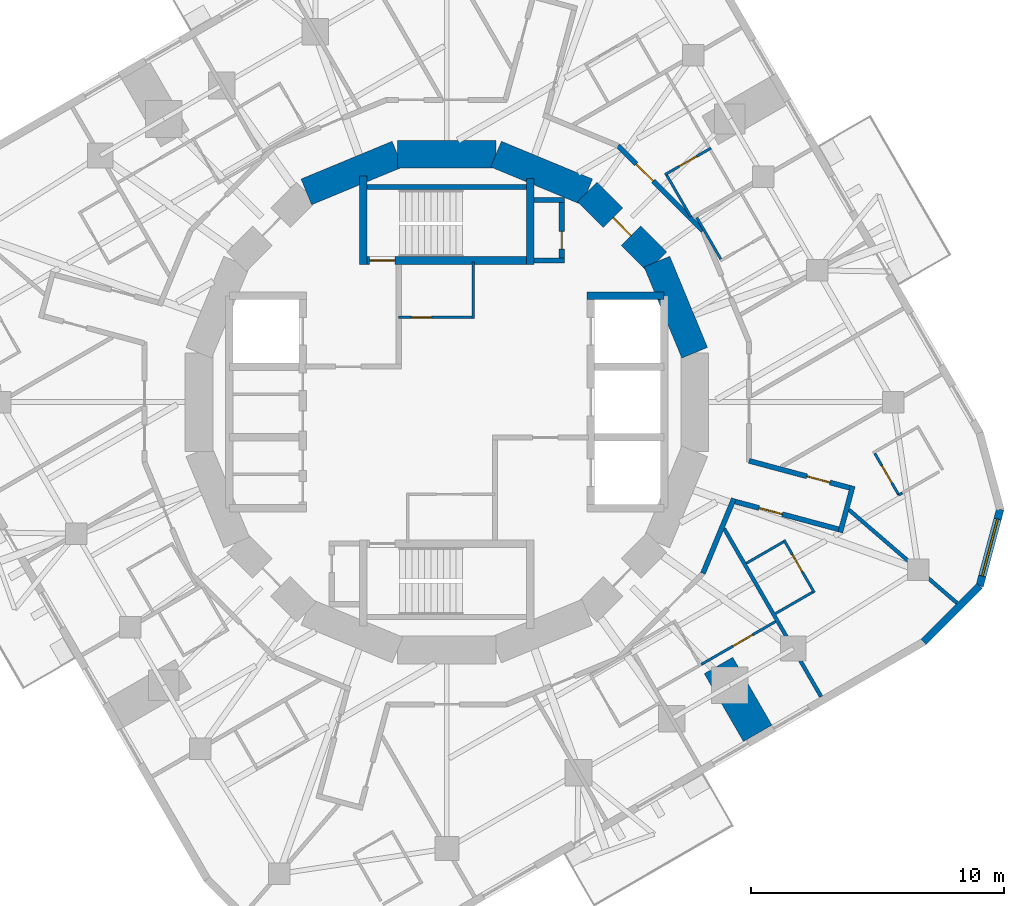
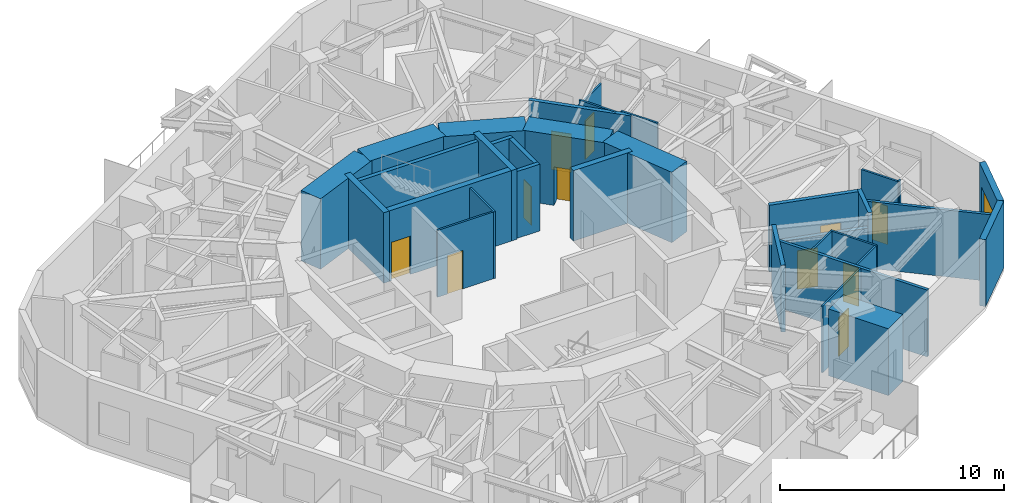
# One storey, part 7 of 11: 34 walls, 11 doors, 1 window, 12 openings.
"""IFC4 building model written with IfcOpenShell, lengths in metres."""

from ifc_helpers import new_model, si_unit, direction, frame, frame_2d, origin, place, context, subcontext, project, spatial, rectangle, extrude, material, layer, layer_set, type_object, element, fill, save


model = new_model("IFC4")

# Units and contexts
model_context = context("Model", 3, precision=1e-05, world=origin(), true_north=direction((0.0, 1.0)))
body_context = subcontext(model_context, "Body", "Model", "MODEL_VIEW")
ifc_project = project(units=[si_unit("LENGTHUNIT", "METRE"), si_unit("AREAUNIT", "SQUARE_METRE"), si_unit("VOLUMEUNIT", "CUBIC_METRE"), si_unit("PLANEANGLEUNIT", "RADIAN"), si_unit("MASSUNIT", "GRAM", prefix="KILO")], contexts=[model_context])

# Site, building, storey
site_placement = place(None, origin())
site = spatial("IfcSite", under=ifc_project, at=site_placement, CompositionType="ELEMENT")
building_placement = place(site_placement, origin())
building = spatial("IfcBuilding", under=site, at=building_placement, Name="Nakasero Lantern House", CompositionType="ELEMENT")
storey_placement = place(building_placement, frame((0.0, 0.0, 234.64990234375)))
storey = spatial("IfcBuildingStorey", under=building, at=storey_placement, Name="L57", CompositionType="ELEMENT", Elevation=234.64990234375)

# Walls
ifc_material_1 = material(Name="Blockwork", Category="masonry")
ifc_layer_1 = layer(ifc_material_1, 1.300048828125)
ifc_layer_set_1 = layer_set([ifc_layer_1], Name="Column pier 1300")
wall_type_1 = type_object("IfcWallType", Name="Column pier 1300", PredefinedType="PARTITIONING", material=ifc_layer_set_1)
wall_1_placement = place(storey_placement, frame((10.75048828125, -10.4208984375, 0.0), z_axis=(0.0, 0.0, 1.0), x_axis=(0.499933790963, -0.866063626216, 0.0)))
element("IfcWall", 1, at=wall_1_placement, inside=storey, type_object=wall_type_1, Name="Column pier L57 PN3-05", PredefinedType="PARTITIONING", context=body_context, shape_type="SweptSolid", body=[
    extrude(rectangle(XDim=3.10009765625, YDim=1.300048828125, at=frame_2d((1.550048828125, 0.0))), origin(), (0.0, 0.0, 1.0), 3.650146484375),
])
ifc_material_2 = material(Name="Concrete C50/60", Category="concrete")
ifc_layer_2 = layer(ifc_material_2, 0.300048828125)
ifc_layer_set_2 = layer_set([ifc_layer_2], Name="Core inner wall 300")
wall_type_2 = type_object("IfcWallType", Name="Core inner wall 300", PredefinedType="SHEAR", material=ifc_layer_set_2)
wall_2_placement = place(storey_placement, frame((5.550048828125, 4.199951171875, 0.0), z_axis=(0.0, 0.0, 1.0), x_axis=(1.0, 0.0, 0.0)))
element("IfcWall", 2, at=wall_2_placement, inside=storey, type_object=wall_type_2, Name="Core inner wall L57 LEN", PredefinedType="SHEAR", context=body_context, shape_type="SweptSolid", body=[
    extrude(rectangle(XDim=3.050048828125, YDim=0.300048828125, at=frame_2d((1.52490234375, 0.0))), origin(), (0.0, 0.0, 1.0), 3.85009765625),
])

# Wall, opening, door
wall_3_placement = place(storey_placement, frame((-3.449951171875, 5.60009765625, 0.0), z_axis=(0.0, 0.0, 1.0), x_axis=(1.0, 0.0, 0.0)))
wall_3 = element("IfcWall", 3, at=wall_3_placement, inside=storey, type_object=wall_type_2, Name="Core inner wall L57 SN", PredefinedType="SHEAR", context=body_context, shape_type="SweptSolid", body=[
    extrude(rectangle(XDim=6.89990234375, YDim=0.300048828125, at=frame_2d((3.449951171875, 0.0))), origin(), (0.0, 0.0, 1.0), 3.85009765625),
])
opening_1_placement = place(wall_3_placement, frame((0.39990234375, 0.0, 0.0)))
opening_1 = element("IfcOpeningElement", 4, at=opening_1_placement, cuts=wall_3, Name="Opening D05", PredefinedType="OPENING", context=body_context, shape_type="SweptSolid", body=[
    extrude(rectangle(XDim=1.0, YDim=2.10009765625, at=frame_2d((0.5, 1.050048828125))), frame((0.0, 0.169921875, 0.0), z_axis=(0.0, -1.0, 0.0), x_axis=(1.0, 0.0, 0.0)), (0.0, 0.0, 1.0), 0.340087890625),
])
ifc_material_3 = material(Name="Timber C24", Category="wood")
door_type_1 = type_object("IfcDoorType", Name="Core door FD60S 1000", OperationType="SINGLE_SWING_LEFT", PredefinedType="DOOR", material=ifc_material_3)
door_1_placement = place(opening_1_placement, origin())
door_1 = element("IfcDoor", 5, at=door_1_placement, inside=storey, type_object=door_type_1, Name="Door L57 D-ST1", OperationType="SINGLE_SWING_LEFT", OverallHeight=2.10009765625, OverallWidth=1.0, PredefinedType="DOOR", context=body_context, shape_type="SweptSolid", body=[
    extrude(rectangle(XDim=1.0, YDim=2.10009765625, at=frame_2d((0.5, 1.050048828125))), frame((0.0, 0.02490234375, 0.0), z_axis=(0.0, -1.0, 0.0), x_axis=(1.0, 0.0, 0.0)), (0.0, 0.0, 1.0), 0.050048828125),
])
fill(opening_1, door_1)

# Walls
wall_4_placement = place(storey_placement, frame((-3.300048828125, 5.449951171875, 0.0), z_axis=(0.0, 0.0, 1.0), x_axis=(0.0, 1.0, 0.0)))
element("IfcWall", 6, at=wall_4_placement, inside=storey, type_object=wall_type_2, Name="Core inner wall L57 SNW", PredefinedType="SHEAR", context=body_context, shape_type="SweptSolid", body=[
    extrude(rectangle(XDim=3.5, YDim=0.300048828125, at=frame_2d((1.75, 0.0))), origin(), (0.0, 0.0, 1.0), 3.85009765625),
])
wall_5_placement = place(storey_placement, frame((3.300048828125, 5.449951171875, 0.0), z_axis=(0.0, 0.0, 1.0), x_axis=(0.0, 1.0, 0.0)))
element("IfcWall", 7, at=wall_5_placement, inside=storey, type_object=wall_type_2, Name="Core inner wall L57 SNE", PredefinedType="SHEAR", context=body_context, shape_type="SweptSolid", body=[
    extrude(rectangle(XDim=3.400146484375, YDim=0.300048828125, at=frame_2d((1.7001953125, 0.0))), origin(), (0.0, 0.0, 1.0), 3.85009765625),
])

# Wall, opening, door
ifc_material_4 = material(Name="Blockwork", Category="masonry")
ifc_layer_3 = layer(ifc_material_4, 0.10009765625)
ifc_layer_set_3 = layer_set([ifc_layer_3], Name="Core room wall 100")
wall_type_3 = type_object("IfcWallType", Name="Core room wall 100", PredefinedType="PARTITIONING", material=ifc_layer_set_3)
wall_6_placement = place(storey_placement, frame((-1.89990234375, 3.35009765625, 0.0), z_axis=(0.0, 0.0, 1.0), x_axis=(1.0, 0.0, 0.0)))
wall_6 = element("IfcWall", 8, at=wall_6_placement, inside=storey, type_object=wall_type_3, Name="Core room wall L57 CR-NES", PredefinedType="PARTITIONING", context=body_context, shape_type="SweptSolid", body=[
    extrude(rectangle(XDim=3.0, YDim=0.10009765625, at=frame_2d((1.5, 0.0))), origin(), (0.0, 0.0, 1.0), 3.650146484375),
])
opening_2_placement = place(wall_6_placement, frame((0.5, 0.0, 0.0)))
opening_2 = element("IfcOpeningElement", 9, at=opening_2_placement, cuts=wall_6, Name="Opening D15", PredefinedType="OPENING", context=body_context, shape_type="SweptSolid", body=[
    extrude(rectangle(XDim=0.800048828125, YDim=2.10009765625, at=frame_2d((0.39990234375, 1.050048828125))), frame((0.0, 0.070068359375, 0.0), z_axis=(0.0, -1.0, 0.0), x_axis=(1.0, 0.0, 0.0)), (0.0, 0.0, 1.0), 0.14013671875),
])
ifc_material_5 = material(Name="Timber C24", Category="wood")
door_type_2 = type_object("IfcDoorType", Name="Cleaner's store door FD30S 800", OperationType="SINGLE_SWING_LEFT", PredefinedType="DOOR", material=ifc_material_5)
door_2_placement = place(opening_2_placement, origin())
door_2 = element("IfcDoor", 10, at=door_2_placement, inside=storey, type_object=door_type_2, Name="Door L57 D-CR-NE", OperationType="SINGLE_SWING_LEFT", OverallHeight=2.10009765625, OverallWidth=0.800048828125, PredefinedType="DOOR", context=body_context, shape_type="SweptSolid", body=[
    extrude(rectangle(XDim=0.800048828125, YDim=2.10009765625, at=frame_2d((0.39990234375, 1.050048828125))), frame((0.0, 0.02490234375, 0.0), z_axis=(0.0, -1.0, 0.0), x_axis=(1.0, 0.0, 0.0)), (0.0, 0.0, 1.0), 0.050048828125),
])
fill(opening_2, door_2)

# Walls
wall_7_placement = place(storey_placement, frame((1.050048828125, 3.300048828125, 0.0), z_axis=(0.0, 0.0, 1.0), x_axis=(0.0, 1.0, 0.0)))
element("IfcWall", 11, at=wall_7_placement, inside=storey, type_object=wall_type_3, Name="Core room wall L57 CR-NEE", PredefinedType="PARTITIONING", context=body_context, shape_type="SweptSolid", body=[
    extrude(rectangle(XDim=2.25, YDim=0.10009765625, at=frame_2d((1.125, 0.0))), origin(), (0.0, 0.0, 1.0), 3.650146484375),
])
ifc_material_6 = material(Name="Concrete C50/60", Category="concrete")
ifc_layer_4 = layer(ifc_material_6, 1.10009765625)
ifc_layer_set_4 = layer_set([ifc_layer_4], Name="Core wall 1100")
wall_type_4 = type_object("IfcWallType", Name="Core wall 1100", PredefinedType="SHEAR", material=ifc_layer_set_4)
wall_8_placement = place(storey_placement, frame((9.807861328125, 1.950927734375, 0.0), z_axis=(0.0, 0.0, 1.0), x_axis=(-0.382690736062, 0.923876507187, 0.0)))
element("IfcWall", 12, at=wall_8_placement, inside=storey, type_object=wall_type_4, Name="Core wall L57 facet 1", PredefinedType="SHEAR", context=body_context, shape_type="SweptSolid", body=[
    extrude(rectangle(XDim=3.90185546875, YDim=1.10009765625, at=frame_2d((1.950927734375, 0.0))), origin(), (0.0, 0.0, 1.0), 3.85009765625),
])

# Wall, opening, door
wall_9_placement = place(storey_placement, frame((8.314697265625, 5.5556640625, 0.0), z_axis=(0.0, 0.0, 1.0), x_axis=(-0.707106781187, 0.707106781187, 0.0)))
wall_9 = element("IfcWall", 13, at=wall_9_placement, inside=storey, type_object=wall_type_4, Name="Core wall L57 facet 2", PredefinedType="SHEAR", context=body_context, shape_type="SweptSolid", body=[
    extrude(rectangle(XDim=3.90185546875, YDim=1.10009765625, at=frame_2d((1.950927734375, 0.0))), origin(), (0.0, 0.0, 1.0), 3.85009765625),
])
opening_3_placement = place(wall_9_placement, frame((1.450927734375, 0.0, 0.0)))
opening_3 = element("IfcOpeningElement", 14, at=opening_3_placement, cuts=wall_9, Name="Opening D05", PredefinedType="OPENING", context=body_context, shape_type="SweptSolid", body=[
    extrude(rectangle(XDim=1.0, YDim=2.10009765625, at=frame_2d((0.5, 1.050048828125))), frame((0.0, 0.570068359375, 0.0), z_axis=(0.0, -1.0, 0.0), x_axis=(1.0, 0.0, 0.0)), (0.0, 0.0, 1.0), 1.14013671875),
])
door_3_placement = place(opening_3_placement, origin())
door_3 = element("IfcDoor", 15, at=door_3_placement, inside=storey, type_object=door_type_1, Name="Door L57 D-CORE02", OperationType="SINGLE_SWING_LEFT", OverallHeight=2.10009765625, OverallWidth=1.0, PredefinedType="DOOR", context=body_context, shape_type="SweptSolid", body=[
    extrude(rectangle(XDim=1.0, YDim=2.10009765625, at=frame_2d((0.5, 1.050048828125))), frame((0.0, 0.02490234375, 0.0), z_axis=(0.0, -1.0, 0.0), x_axis=(1.0, 0.0, 0.0)), (0.0, 0.0, 1.0), 0.050048828125),
])
fill(opening_3, door_3)

# Walls
for number, where, z_axis, x_axis, name in (
    (16, (5.5556640625, 8.314697265625, 0.0), (0.0, 0.0, 1.0), (-0.923876507187, 0.382690736062, 0.0), "Core wall L57 facet 3"),
    (17, (1.950927734375, 9.807861328125, 0.0), (0.0, 0.0, 1.0), (-1.0, 0.0, 0.0), "Core wall L57 facet 4"),
    (18, (-1.950927734375, 9.807861328125, 0.0), (0.0, 0.0, 1.0), (-0.923876507187, -0.382690736062, 0.0), "Core wall L57 facet 5"),
):
    element("IfcWall", number, at=place(storey_placement, frame(where, z_axis=z_axis, x_axis=x_axis)), inside=storey, type_object=wall_type_4, Name=name, PredefinedType="SHEAR", context=body_context, shape_type="SweptSolid", body=[
        extrude(rectangle(XDim=3.90185546875, YDim=1.10009765625, at=frame_2d((1.950927734375, 0.0))), origin(), (0.0, 0.0, 1.0), 3.85009765625),
    ])
ifc_material_7 = material(Name="Blockwork", Category="masonry")
ifc_layer_5 = layer(ifc_material_7, 0.199951171875)
ifc_layer_set_5 = layer_set([ifc_layer_5], Name="Corridor wall 200")
wall_type_5 = type_object("IfcWallType", Name="Corridor wall 200", PredefinedType="PARTITIONING", material=ifc_layer_set_5)
wall_10_placement = place(storey_placement, frame((11.360595703125, -3.820556640625, 0.0), z_axis=(0.0, 0.0, 1.0), x_axis=(-0.382662097458, -0.923888369431, 0.0)))
element("IfcWall", 19, at=wall_10_placement, inside=storey, type_object=wall_type_5, Name="Corridor wall L57 RC01b", PredefinedType="PARTITIONING", context=body_context, shape_type="SweptSolid", body=[
    extrude(rectangle(XDim=3.1962890625, YDim=0.199951171875, at=frame_2d((1.59814453125, 0.0))), origin(), (0.0, 0.0, 1.0), 3.650146484375),
])

# Wall, opening, door
wall_11_placement = place(storey_placement, frame((6.773681640625, 10.137451171875, 0.0), z_axis=(0.0, 0.0, 1.0), x_axis=(0.707106781187, -0.707106781187, 0.0)))
wall_11 = element("IfcWall", 20, at=wall_11_placement, inside=storey, type_object=wall_type_5, Name="Corridor wall L57 RC14a", PredefinedType="PARTITIONING", context=body_context, shape_type="SweptSolid", body=[
    extrude(rectangle(XDim=4.757080078125, YDim=0.199951171875, at=frame_2d((2.37841796875, 0.0))), origin(), (0.0, 0.0, 1.0), 3.650146484375),
])
opening_4_placement = place(wall_11_placement, frame((1.02001953125, 0.0, 0.0)))
opening_4 = element("IfcOpeningElement", 21, at=opening_4_placement, cuts=wall_11, Name="Opening D01", PredefinedType="OPENING", context=body_context, shape_type="SweptSolid", body=[
    extrude(rectangle(XDim=0.949951171875, YDim=2.10009765625, at=frame_2d((0.47509765625, 1.050048828125))), frame((0.0, 0.119873046875, 0.0), z_axis=(0.0, -1.0, 0.0), x_axis=(1.0, 0.0, 0.0)), (0.0, 0.0, 1.0), 0.239990234375),
])
ifc_material_8 = material(Name="Timber C24", Category="wood")
door_type_3 = type_object("IfcDoorType", Name="Bedroom door FD30S 950", OperationType="SINGLE_SWING_LEFT", PredefinedType="DOOR", material=ifc_material_8)
door_4_placement = place(opening_4_placement, origin())
door_4 = element("IfcDoor", 22, at=door_4_placement, inside=storey, type_object=door_type_3, Name="Door L57 D0-04", OperationType="SINGLE_SWING_LEFT", OverallHeight=2.10009765625, OverallWidth=0.949951171875, PredefinedType="DOOR", context=body_context, shape_type="SweptSolid", body=[
    extrude(rectangle(XDim=0.949951171875, YDim=2.10009765625, at=frame_2d((0.47509765625, 1.050048828125))), frame((0.0, 0.02490234375, 0.0), z_axis=(0.0, -1.0, 0.0), x_axis=(1.0, 0.0, 0.0)), (0.0, 0.0, 1.0), 0.050048828125),
])
fill(opening_4, door_4)

wall_12_placement = place(storey_placement, frame((11.322021484375, -3.913818359375, 0.0), z_axis=(0.0, 0.0, 1.0), x_axis=(0.965936973474, -0.258777439659, 0.0)))
wall_12 = element("IfcWall", 23, at=wall_12_placement, inside=storey, type_object=wall_type_5, Name="Corridor wall L57 SP3a", PredefinedType="PARTITIONING", context=body_context, shape_type="SweptSolid", body=[
    extrude(rectangle(XDim=4.524658203125, YDim=0.199951171875, at=frame_2d((2.26220703125, 0.0))), origin(), (0.0, 0.0, 1.0), 2.809326171875),
])
opening_5_placement = place(wall_12_placement, frame((1.070068359375, 0.0, 0.0)))
opening_5 = element("IfcOpeningElement", 24, at=opening_5_placement, cuts=wall_12, Name="Opening D01", PredefinedType="OPENING", context=body_context, shape_type="SweptSolid", body=[
    extrude(rectangle(XDim=0.949951171875, YDim=2.10009765625, at=frame_2d((0.47509765625, 1.050048828125))), frame((0.0, 0.119873046875, 0.0), z_axis=(0.0, -1.0, 0.0), x_axis=(1.0, 0.0, 0.0)), (0.0, 0.0, 1.0), 0.239990234375),
])
door_5_placement = place(opening_5_placement, origin())
door_5 = element("IfcDoor", 25, at=door_5_placement, inside=storey, type_object=door_type_3, Name="Door L57 D3-06", OperationType="SINGLE_SWING_LEFT", OverallHeight=2.10009765625, OverallWidth=0.949951171875, PredefinedType="DOOR", context=body_context, shape_type="SweptSolid", body=[
    extrude(rectangle(XDim=0.949951171875, YDim=2.10009765625, at=frame_2d((0.47509765625, 1.050048828125))), frame((0.0, 0.02490234375, 0.0), z_axis=(0.0, -1.0, 0.0), x_axis=(1.0, 0.0, 0.0)), (0.0, 0.0, 1.0), 0.050048828125),
])
fill(opening_5, door_5)

wall_13_placement = place(storey_placement, frame((11.957763671875, -2.32421875, 0.0), z_axis=(0.0, 0.0, 1.0), x_axis=(0.965938975236, -0.258769967576, 0.0)))
wall_13 = element("IfcWall", 26, at=wall_13_placement, inside=storey, type_object=wall_type_5, Name="Corridor wall L57 SP3b", PredefinedType="PARTITIONING", context=body_context, shape_type="SweptSolid", body=[
    extrude(rectangle(XDim=4.322021484375, YDim=0.199951171875, at=frame_2d((2.1611328125, 0.0))), origin(), (0.0, 0.0, 1.0), 3.650146484375),
])
opening_6_placement = place(wall_13_placement, frame((2.3701171875, 0.0, 0.0)))
opening_6 = element("IfcOpeningElement", 27, at=opening_6_placement, cuts=wall_13, Name="Opening D01", PredefinedType="OPENING", context=body_context, shape_type="SweptSolid", body=[
    extrude(rectangle(XDim=0.949951171875, YDim=2.10009765625, at=frame_2d((0.47509765625, 1.050048828125))), frame((0.0, 0.119873046875, 0.0), z_axis=(0.0, -1.0, 0.0), x_axis=(1.0, 0.0, 0.0)), (0.0, 0.0, 1.0), 0.239990234375),
])
door_6_placement = place(opening_6_placement, origin())
door_6 = element("IfcDoor", 28, at=door_6_placement, inside=storey, type_object=door_type_3, Name="Door L57 D0-00", OperationType="SINGLE_SWING_RIGHT", OverallHeight=2.10009765625, OverallWidth=0.949951171875, PredefinedType="DOOR", context=body_context, shape_type="SweptSolid", body=[
    extrude(rectangle(XDim=0.949951171875, YDim=2.10009765625, at=frame_2d((0.47509765625, 1.050048828125))), frame((0.0, 0.02490234375, 0.0), z_axis=(0.0, -1.0, 0.0), x_axis=(1.0, 0.0, 0.0)), (0.0, 0.0, 1.0), 0.050048828125),
])
fill(opening_6, door_6)

# Wall
wall_14_placement = place(storey_placement, frame((15.570068359375, -5.155517578125, 0.0), z_axis=(0.0, 0.0, 1.0), x_axis=(0.258798174346, 0.96593141835, 0.0)))
element("IfcWall", 29, at=wall_14_placement, inside=storey, type_object=wall_type_5, Name="Corridor wall L57 SP3e", PredefinedType="PARTITIONING", context=body_context, shape_type="SweptSolid", body=[
    extrude(rectangle(XDim=1.89990234375, YDim=0.199951171875, at=frame_2d((0.949951171875, 0.0))), origin(), (0.0, 0.0, 1.0), 3.650146484375),
])

# Wall, opening, door
ifc_material_9 = material(Name="Blockwork", Category="masonry")
ifc_layer_6 = layer(ifc_material_9, 0.10009765625)
ifc_layer_set_6 = layer_set([ifc_layer_6], Name="En-suite wall 100")
wall_type_6 = type_object("IfcWallType", Name="En-suite wall 100", PredefinedType="PARTITIONING", material=ifc_layer_set_6)
wall_15_placement = place(storey_placement, frame((17.8837890625, -3.675537109375, 0.0), z_axis=(0.0, 0.0, 1.0), x_axis=(-0.499967155389, 0.866044365799, 0.0)))
wall_15 = element("IfcWall", 30, at=wall_15_placement, inside=storey, type_object=wall_type_6, Name="En-suite wall L57 EI0-00", PredefinedType="PARTITIONING", context=body_context, shape_type="SweptSolid", body=[
    extrude(rectangle(XDim=1.900146484375, YDim=0.10009765625, at=frame_2d((0.9501953125, 0.0))), origin(), (0.0, 0.0, 1.0), 3.650146484375),
])
opening_7_placement = place(wall_15_placement, frame((0.550048828125, 0.0, 0.0)))
opening_7 = element("IfcOpeningElement", 31, at=opening_7_placement, cuts=wall_15, Name="Opening D02", PredefinedType="OPENING", context=body_context, shape_type="SweptSolid", body=[
    extrude(rectangle(XDim=0.800048828125, YDim=2.10009765625, at=frame_2d((0.39990234375, 1.050048828125))), frame((0.0, 0.070068359375, 0.0), z_axis=(0.0, -1.0, 0.0), x_axis=(1.0, 0.0, 0.0)), (0.0, 0.0, 1.0), 0.14013671875),
])
ifc_material_10 = material(Name="Timber C24", Category="wood")
door_type_4 = type_object("IfcDoorType", Name="En-suite door 800", OperationType="SINGLE_SWING_RIGHT", PredefinedType="DOOR", material=ifc_material_10)
door_7_placement = place(opening_7_placement, origin())
door_7 = element("IfcDoor", 32, at=door_7_placement, inside=storey, type_object=door_type_4, Name="Door L57 DE0-00", OperationType="SINGLE_SWING_RIGHT", OverallHeight=2.10009765625, OverallWidth=0.800048828125, PredefinedType="DOOR", context=body_context, shape_type="SweptSolid", body=[
    extrude(rectangle(XDim=0.800048828125, YDim=2.10009765625, at=frame_2d((0.39990234375, 1.050048828125))), frame((0.0, 0.02490234375, 0.0), z_axis=(0.0, -1.0, 0.0), x_axis=(1.0, 0.0, 0.0)), (0.0, 0.0, 1.0), 0.050048828125),
])
fill(opening_7, door_7)

# Wall
wall_16_placement = place(storey_placement, frame((10.843017578125, 5.655029296875, 0.0), z_axis=(0.0, 0.0, 1.0), x_axis=(-0.499967155389, 0.866044365799, 0.0)))
element("IfcWall", 33, at=wall_16_placement, inside=storey, type_object=wall_type_6, Name="En-suite wall L57 EI0-03", PredefinedType="PARTITIONING", context=body_context, shape_type="SweptSolid", body=[
    extrude(rectangle(XDim=1.900146484375, YDim=0.10009765625, at=frame_2d((0.9501953125, 0.0))), origin(), (0.0, 0.0, 1.0), 3.650146484375),
])

# Wall, opening, door
wall_17_placement = place(storey_placement, frame((8.632080078125, 8.997314453125, 0.0), z_axis=(0.0, 0.0, 1.0), x_axis=(0.866038466041, 0.499977374825, 0.0)))
wall_17 = element("IfcWall", 34, at=wall_17_placement, inside=storey, type_object=wall_type_6, Name="En-suite wall L57 ES0-04", PredefinedType="PARTITIONING", context=body_context, shape_type="SweptSolid", body=[
    extrude(rectangle(XDim=2.10009765625, YDim=0.10009765625, at=frame_2d((1.050048828125, 0.0))), origin(), (0.0, 0.0, 1.0), 3.295166015625),
])
opening_8_placement = place(wall_17_placement, frame((0.64990234375, 0.0, 0.0)))
opening_8 = element("IfcOpeningElement", 35, at=opening_8_placement, cuts=wall_17, Name="Opening D02", PredefinedType="OPENING", context=body_context, shape_type="SweptSolid", body=[
    extrude(rectangle(XDim=0.800048828125, YDim=2.10009765625, at=frame_2d((0.39990234375, 1.050048828125))), frame((0.0, 0.070068359375, 0.0), z_axis=(0.0, -1.0, 0.0), x_axis=(1.0, 0.0, 0.0)), (0.0, 0.0, 1.0), 0.14013671875),
])
door_8_placement = place(opening_8_placement, origin())
door_8 = element("IfcDoor", 36, at=door_8_placement, inside=storey, type_object=door_type_4, Name="Door L57 DE0-04", OperationType="SINGLE_SWING_RIGHT", OverallHeight=2.10009765625, OverallWidth=0.800048828125, PredefinedType="DOOR", context=body_context, shape_type="SweptSolid", body=[
    extrude(rectangle(XDim=0.800048828125, YDim=2.10009765625, at=frame_2d((0.39990234375, 1.050048828125))), frame((0.0, 0.02490234375, 0.0), z_axis=(0.0, -1.0, 0.0), x_axis=(1.0, 0.0, 0.0)), (0.0, 0.0, 1.0), 0.050048828125),
])
fill(opening_8, door_8)

# Wall
wall_18_placement = place(storey_placement, frame((9.650390625, 7.333740234375, 0.0), z_axis=(0.0, 0.0, 1.0), x_axis=(-0.500022797313, 0.86601224135, 0.0)))
element("IfcWall", 37, at=wall_18_placement, inside=storey, type_object=wall_type_6, Name="En-suite wall L57 EI0-04", PredefinedType="PARTITIONING", context=body_context, shape_type="SweptSolid", body=[
    extrude(rectangle(XDim=1.89990234375, YDim=0.10009765625, at=frame_2d((0.949951171875, 0.0))), origin(), (0.0, 0.0, 1.0), 3.650146484375),
])

# Wall, opening, door
wall_19_placement = place(storey_placement, frame((13.342041015625, -5.46044921875, 0.0), z_axis=(0.0, 0.0, 1.0), x_axis=(0.500033551112, -0.866006032174, 0.0)))
wall_19 = element("IfcWall", 38, at=wall_19_placement, inside=storey, type_object=wall_type_6, Name="En-suite wall L57 ES3-06", PredefinedType="PARTITIONING", context=body_context, shape_type="SweptSolid", body=[
    extrude(rectangle(XDim=2.400146484375, YDim=0.10009765625, at=frame_2d((1.2001953125, 0.0))), origin(), (0.0, 0.0, 1.0), 3.650146484375),
])
opening_9_placement = place(wall_19_placement, frame((0.64990234375, 0.0, 0.0)))
opening_9 = element("IfcOpeningElement", 39, at=opening_9_placement, cuts=wall_19, Name="Opening D02", PredefinedType="OPENING", context=body_context, shape_type="SweptSolid", body=[
    extrude(rectangle(XDim=0.800048828125, YDim=2.10009765625, at=frame_2d((0.39990234375, 1.050048828125))), frame((0.0, 0.070068359375, 0.0), z_axis=(0.0, -1.0, 0.0), x_axis=(1.0, 0.0, 0.0)), (0.0, 0.0, 1.0), 0.14013671875),
])
door_9_placement = place(opening_9_placement, origin())
door_9 = element("IfcDoor", 40, at=door_9_placement, inside=storey, type_object=door_type_4, Name="Door L57 DE3-06", OperationType="SINGLE_SWING_LEFT", OverallHeight=2.10009765625, OverallWidth=0.800048828125, PredefinedType="DOOR", context=body_context, shape_type="SweptSolid", body=[
    extrude(rectangle(XDim=0.800048828125, YDim=2.10009765625, at=frame_2d((0.39990234375, 1.050048828125))), frame((0.0, 0.02490234375, 0.0), z_axis=(0.0, -1.0, 0.0), x_axis=(1.0, 0.0, 0.0)), (0.0, 0.0, 1.0), 0.050048828125),
])
fill(opening_9, door_9)

# Walls
for number, where, z_axis, x_axis, name in (
    (41, (13.001708984375, -8.37060546875, 0.0), (0.0, 0.0, 1.0), (0.86605165483, 0.499954529098, 0.0), "En-suite wall L57 EE3-06"),
    (42, (11.8515625, -6.37890625, 0.0), (0.0, 0.0, 1.0), (0.865989465428, 0.500062241894, 0.0), "En-suite wall L57 EI3-06"),
):
    element("IfcWall", number, at=place(storey_placement, frame(where, z_axis=z_axis, x_axis=x_axis)), inside=storey, type_object=wall_type_6, Name=name, PredefinedType="PARTITIONING", context=body_context, shape_type="SweptSolid", body=[
        extrude(rectangle(XDim=1.699951171875, YDim=0.10009765625, at=frame_2d((0.85009765625, 0.0))), origin(), (0.0, 0.0, 1.0), 3.650146484375),
    ])

# Wall, opening, door
wall_20_placement = place(storey_placement, frame((10.065673828125, -10.382568359375, 0.0), z_axis=(0.0, 0.0, 1.0), x_axis=(0.866024081565, 0.500002290144, 0.0)))
wall_20 = element("IfcWall", 43, at=wall_20_placement, inside=storey, type_object=wall_type_6, Name="En-suite wall L57 EL3-04", PredefinedType="PARTITIONING", context=body_context, shape_type="SweptSolid", body=[
    extrude(rectangle(XDim=3.3984375, YDim=0.10009765625, at=frame_2d((1.69921875, 0.0))), origin(), (0.0, 0.0, 1.0), 3.650146484375),
])
opening_10_placement = place(wall_20_placement, frame((1.449951171875, 0.0, 0.0)))
opening_10 = element("IfcOpeningElement", 44, at=opening_10_placement, cuts=wall_20, Name="Opening D17", PredefinedType="OPENING", context=body_context, shape_type="SweptSolid", body=[
    extrude(rectangle(XDim=0.89990234375, YDim=2.10009765625, at=frame_2d((0.449951171875, 1.050048828125))), frame((0.0, 0.070068359375, 0.0), z_axis=(0.0, -1.0, 0.0), x_axis=(1.0, 0.0, 0.0)), (0.0, 0.0, 1.0), 0.14013671875),
])
ifc_material_11 = material(Name="Timber C24", Category="wood")
door_type_5 = type_object("IfcDoorType", Name="Bedroom door FD30S 900", OperationType="SINGLE_SWING_LEFT", PredefinedType="DOOR", material=ifc_material_11)
door_10_placement = place(opening_10_placement, origin())
door_10 = element("IfcDoor", 45, at=door_10_placement, inside=storey, type_object=door_type_5, Name="Door L57 DL3-04", OperationType="SINGLE_SWING_RIGHT", OverallHeight=2.10009765625, OverallWidth=0.89990234375, PredefinedType="DOOR", context=body_context, shape_type="SweptSolid", body=[
    extrude(rectangle(XDim=0.89990234375, YDim=2.10009765625, at=frame_2d((0.449951171875, 1.050048828125))), frame((0.0, 0.02490234375, 0.0), z_axis=(0.0, -1.0, 0.0), x_axis=(1.0, 0.0, 0.0)), (0.0, 0.0, 1.0), 0.050048828125),
])
fill(opening_10, door_10)

# Walls
wall_21_placement = place(storey_placement, frame((17.8837890625, -3.675537109375, 0.0), z_axis=(0.0, 0.0, 1.0), x_axis=(0.865600433939, 0.500735348028, 0.0)))
element("IfcWall", 46, at=wall_21_placement, inside=storey, type_object=wall_type_6, Name="En-suite wall L57 EI0-00R0", PredefinedType="PARTITIONING", context=body_context, shape_type="SweptSolid", body=[
    extrude(rectangle(XDim=0.159912109375, YDim=0.10009765625, at=frame_2d((0.080078125, 0.0))), origin(), (0.0, 0.0, 1.0), 3.650146484375),
])
ifc_material_12 = material(Name="Aluminium rainscreen on blockwork", Category="masonry")
ifc_layer_7 = layer(ifc_material_12, 0.300048828125)
ifc_layer_set_7 = layer_set([ifc_layer_7], Name="Facade wall 300")
wall_type_7 = type_object("IfcWallType", Name="Facade wall 300", PredefinedType="SOLIDWALL", material=ifc_layer_set_7)
wall_22_placement = place(storey_placement, frame((18.870849609375, -9.4853515625, 0.0), z_axis=(0.0, 0.0, 1.0), x_axis=(0.707145758492, 0.707067801733, 0.0)))
element("IfcWall", 47, at=wall_22_placement, inside=storey, type_object=wall_type_7, Name="Facade wall L57 FW3C1", PredefinedType="SOLIDWALL", context=body_context, shape_type="SweptSolid", body=[
    extrude(rectangle(XDim=3.1318359375, YDim=0.300048828125, at=frame_2d((1.56591796875, 0.0))), origin(), (0.0, 0.0, 1.0), 3.650146484375),
])

# Wall, opening, window
wall_23_placement = place(storey_placement, frame((21.08544921875, -7.27099609375, 0.0), z_axis=(0.0, 0.0, 1.0), x_axis=(0.258807521156, 0.965928914048, 0.0)))
wall_23 = element("IfcWall", 48, at=wall_23_placement, inside=storey, type_object=wall_type_7, Name="Facade wall L57 FW3C2", PredefinedType="SOLIDWALL", context=body_context, shape_type="SweptSolid", body=[
    extrude(rectangle(XDim=3.1318359375, YDim=0.300048828125, at=frame_2d((1.56591796875, 0.0))), origin(), (0.0, 0.0, 1.0), 3.650146484375),
])
opening_11_placement = place(wall_23_placement, frame((0.39990234375, 0.0, 0.75)))
opening_11 = element("IfcOpeningElement", 49, at=opening_11_placement, cuts=wall_23, Name="Opening W223", PredefinedType="OPENING", context=body_context, shape_type="SweptSolid", body=[
    extrude(rectangle(XDim=2.33203125, YDim=1.800048828125, at=frame_2d((1.166015625, 0.89990234375))), frame((0.0, 0.169921875, 0.0), z_axis=(0.0, -1.0, 0.0), x_axis=(1.0, 0.0, 0.0)), (0.0, 0.0, 1.0), 0.340087890625),
])
ifc_material_13 = material(Name="Aluminium 6063-T6 and glass", Category="aluminium")
window_type = type_object("IfcWindowType", Name="Corner window 2332x1800", PartitioningType="SINGLE_PANEL", PredefinedType="WINDOW", material=ifc_material_13)
window_placement = place(opening_11_placement, origin())
window = element("IfcWindow", 50, at=window_placement, inside=storey, type_object=window_type, Name="Window L57 WC3", OverallHeight=1.800048828125, OverallWidth=2.33203125, PartitioningType="SINGLE_PANEL", PredefinedType="WINDOW", context=body_context, shape_type="SweptSolid", body=[
    extrude(rectangle(XDim=2.33203125, YDim=1.800048828125, at=frame_2d((1.166015625, 0.89990234375))), frame((0.0, 0.030029296875, 0.0), z_axis=(0.0, -1.0, 0.0), x_axis=(1.0, 0.0, 0.0)), (0.0, 0.0, 1.0), 0.06005859375),
])
fill(opening_11, window)

# Wall, opening, door
ifc_material_14 = material(Name="Blockwork", Category="masonry")
ifc_layer_8 = layer(ifc_material_14, 0.199951171875)
ifc_layer_set_8 = layer_set([ifc_layer_8], Name="Fire lobby wall 200")
wall_type_8 = type_object("IfcWallType", Name="Fire lobby wall 200", PredefinedType="PARTITIONING", material=ifc_layer_set_8)
wall_24_placement = place(storey_placement, frame((4.550048828125, 5.60009765625, 0.0), z_axis=(0.0, 0.0, 1.0), x_axis=(0.0, 1.0, 0.0)))
wall_24 = element("IfcWall", 51, at=wall_24_placement, inside=storey, type_object=wall_type_8, Name="Fire lobby wall L57 W-RS1E", PredefinedType="PARTITIONING", context=body_context, shape_type="SweptSolid", body=[
    extrude(rectangle(XDim=2.39990234375, YDim=0.199951171875, at=frame_2d((1.199951171875, 0.0))), origin(), (0.0, 0.0, 1.0), 3.650146484375),
])
opening_12_placement = place(wall_24_placement, frame((0.449951171875, 0.0, 0.0)))
opening_12 = element("IfcOpeningElement", 52, at=opening_12_placement, cuts=wall_24, Name="Opening D06", PredefinedType="OPENING", context=body_context, shape_type="SweptSolid", body=[
    extrude(rectangle(XDim=0.699951171875, YDim=2.10009765625, at=frame_2d((0.35009765625, 1.050048828125))), frame((0.0, 0.119873046875, 0.0), z_axis=(0.0, -1.0, 0.0), x_axis=(1.0, 0.0, 0.0)), (0.0, 0.0, 1.0), 0.239990234375),
])
ifc_material_15 = material(Name="Steel S355", Category="steel")
door_type_6 = type_object("IfcDoorType", Name="Riser door FD60 700", OperationType="SINGLE_SWING_LEFT", PredefinedType="DOOR", material=ifc_material_15)
door_11_placement = place(opening_12_placement, origin())
door_11 = element("IfcDoor", 53, at=door_11_placement, inside=storey, type_object=door_type_6, Name="Door L57 D-RS1", OperationType="SINGLE_SWING_LEFT", OverallHeight=2.10009765625, OverallWidth=0.699951171875, PredefinedType="DOOR", context=body_context, shape_type="SweptSolid", body=[
    extrude(rectangle(XDim=0.699951171875, YDim=2.10009765625, at=frame_2d((0.35009765625, 1.050048828125))), frame((0.0, 0.02490234375, 0.0), z_axis=(0.0, -1.0, 0.0), x_axis=(1.0, 0.0, 0.0)), (0.0, 0.0, 1.0), 0.050048828125),
])
fill(opening_12, door_11)

# Walls
for number, where, z_axis, x_axis, name in (
    (54, (3.449951171875, 8.0, 0.0), (0.0, 0.0, 1.0), (1.0, 0.0, 0.0), "Fire lobby wall L57 W-RS1N"),
    (55, (3.449951171875, 5.60009765625, 0.0), (0.0, 0.0, 1.0), (1.0, 0.0, 0.0), "Fire lobby wall L57 W-RS1S"),
):
    element("IfcWall", number, at=place(storey_placement, frame(where, z_axis=z_axis, x_axis=x_axis)), inside=storey, type_object=wall_type_8, Name=name, PredefinedType="PARTITIONING", context=body_context, shape_type="SweptSolid", body=[
        extrude(rectangle(XDim=1.199951171875, YDim=0.199951171875, at=frame_2d((0.60009765625, 0.0))), origin(), (0.0, 0.0, 1.0), 3.650146484375),
    ])
wall_25_placement = place(storey_placement, frame((-3.300048828125, 8.5, 0.0), z_axis=(0.0, 0.0, 1.0), x_axis=(1.0, 0.0, 0.0)))
element("IfcWall", 56, at=wall_25_placement, inside=storey, type_object=wall_type_8, Name="Fire lobby wall L57 W-STN", PredefinedType="PARTITIONING", context=body_context, shape_type="SweptSolid", body=[
    extrude(rectangle(XDim=6.60009765625, YDim=0.199951171875, at=frame_2d((3.300048828125, 0.0))), origin(), (0.0, 0.0, 1.0), 3.650146484375),
])
ifc_material_16 = material(Name="Blockwork", Category="masonry")
ifc_layer_9 = layer(ifc_material_16, 0.14990234375)
ifc_layer_set_9 = layer_set([ifc_layer_9], Name="Party wall 150")
wall_type_9 = type_object("IfcWallType", Name="Party wall 150", PredefinedType="PARTITIONING", material=ifc_layer_set_9)
wall_26_placement = place(storey_placement, frame((10.9755859375, -5.011474609375, 0.0), z_axis=(0.0, 0.0, 1.0), x_axis=(0.499985976588, -0.866033500054, 0.0)))
element("IfcWall", 57, at=wall_26_placement, inside=storey, type_object=wall_type_9, Name="Party wall L57 PW3-06", PredefinedType="PARTITIONING", context=body_context, shape_type="SweptSolid", body=[
    extrude(rectangle(XDim=7.672119140625, YDim=0.14990234375, at=frame_2d((3.8359375, 0.0))), origin(), (0.0, 0.0, 1.0), 3.650146484375),
])
wall_27_placement = place(storey_placement, frame((15.91259765625, -4.263671875, 0.0), z_axis=(0.0, 0.0, 1.0), x_axis=(0.75716427978, -0.653224504612, 0.0)))
element("IfcWall", 58, at=wall_27_placement, inside=storey, type_object=wall_type_9, Name="Party wall L57 PW0-00", PredefinedType="PARTITIONING", context=body_context, shape_type="SweptSolid", body=[
    extrude(rectangle(XDim=5.644287109375, YDim=0.14990234375, at=frame_2d((2.822265625, 0.0))), origin(), (0.0, 0.0, 1.0), 3.650146484375),
])

save(model, "model.ifc")
